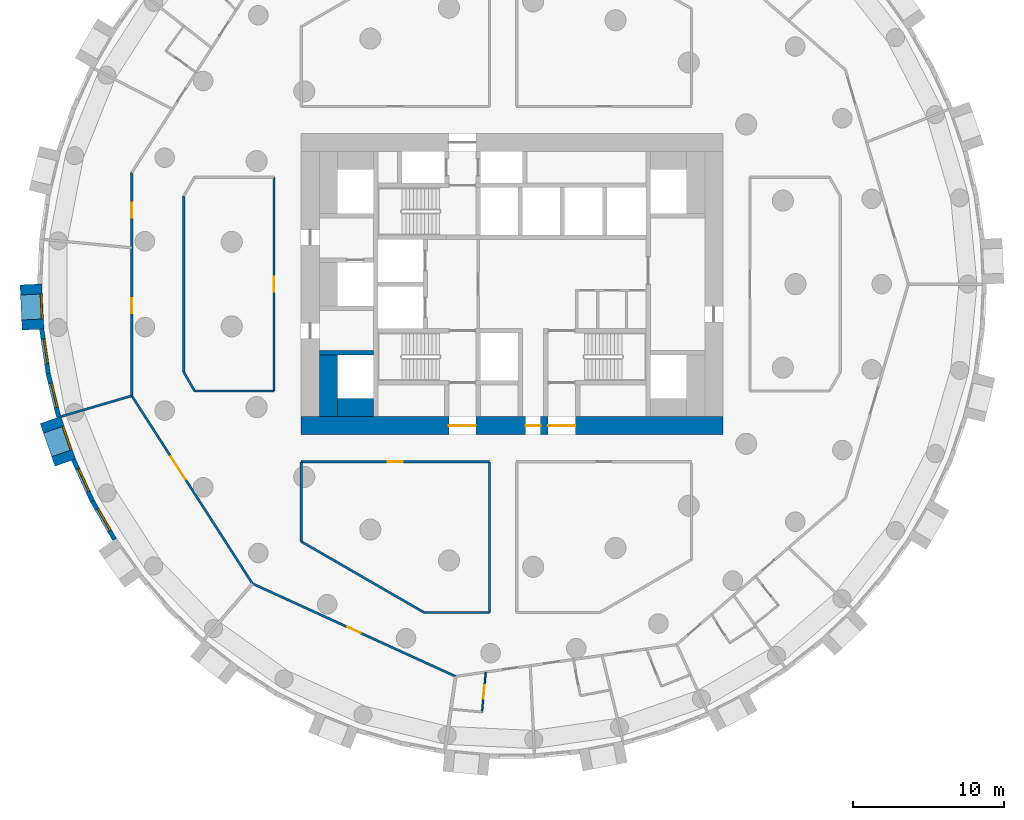
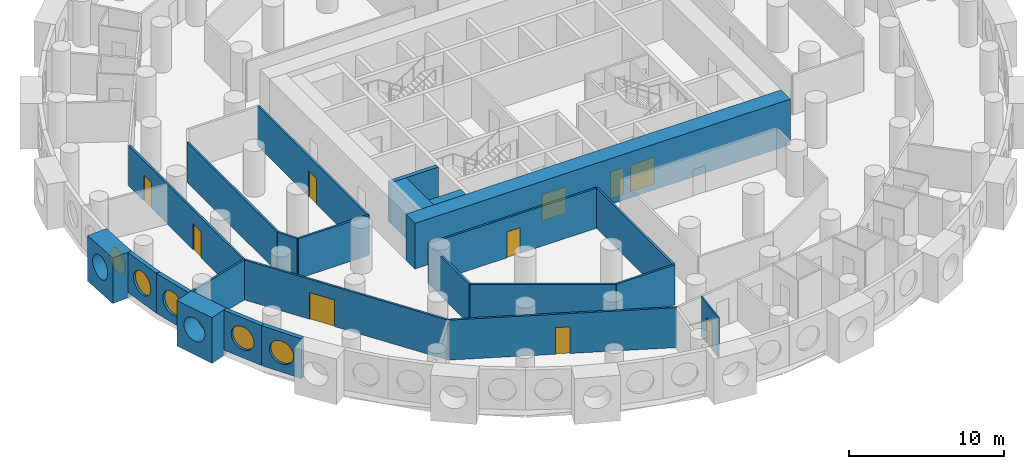
# One storey, part 3 of 11: 24 walls, 10 doors, 6 windows, 16 openings.
"""IFC4 building model written with IfcOpenShell, lengths in metres."""

from ifc_helpers import new_model, si_unit, direction, frame, frame_2d, origin, origin_2d, place, context, subcontext, project, spatial, rectangle, circle, extrude, material, layer, layer_set, type_object, element, fill, save


model = new_model("IFC4")

# Units and contexts
model_context = context("Model", 3, precision=1e-05, world=origin(), true_north=direction((0.0, 1.0)))
body_context = subcontext(model_context, "Body", "Model", "MODEL_VIEW")
ifc_project = project(units=[si_unit("LENGTHUNIT", "METRE"), si_unit("AREAUNIT", "SQUARE_METRE"), si_unit("VOLUMEUNIT", "CUBIC_METRE"), si_unit("PLANEANGLEUNIT", "RADIAN"), si_unit("MASSUNIT", "GRAM", prefix="KILO")], contexts=[model_context])

# Site, building, storey
site_placement = place(None, origin())
site = spatial("IfcSite", under=ifc_project, at=site_placement, CompositionType="ELEMENT")
building_placement = place(site_placement, origin())
building = spatial("IfcBuilding", under=site, at=building_placement, Name="Tracery Tower", CompositionType="ELEMENT")
storey_placement = place(building_placement, frame((0.0, 0.0, 93.0)))
storey = spatial("IfcBuildingStorey", under=building, at=storey_placement, Name="L23", CompositionType="ELEMENT", Elevation=93.0)

# Walls
ifc_material_1 = material(Name="Concrete C60/75", Category="concrete")
ifc_layer_1 = layer(ifc_material_1, 1.199951171875)
ifc_layer_set_1 = layer_set([ifc_layer_1], Name="Core strip wall 1200 C60")
wall_type_1 = type_object("IfcWallType", Name="Core strip wall 1200 C60", PredefinedType="SOLIDWALL", material=ifc_layer_set_1)
wall_1_placement = place(storey_placement, frame((-12.199951171875, -8.800048828125, 0.0), z_axis=(0.0, 0.0, 1.0), x_axis=(0.0, 1.0, 0.0)))
element("IfcWall", 1, at=wall_1_placement, inside=storey, type_object=wall_type_1, Name="L23 wing strip -1 -9.4", PredefinedType="SOLIDWALL", context=body_context, shape_type="SweptSolid", body=[
    extrude(rectangle(XDim=4.10009765625, YDim=1.199951171875, at=frame_2d((2.050048828125, 0.0))), origin(), (0.0, 0.0, 1.0), 3.14990234375),
])
wall_2_placement = place(storey_placement, frame((-11.60009765625, -8.199951171875, 0.0), z_axis=(0.0, 0.0, 1.0), x_axis=(1.0, 0.0, 0.0)))
element("IfcWall", 2, at=wall_2_placement, inside=storey, type_object=wall_type_1, Name="L23 wing corner -1 -8.2", PredefinedType="SOLIDWALL", context=body_context, shape_type="SweptSolid", body=[
    extrude(rectangle(XDim=2.400146484375, YDim=1.199951171875, at=frame_2d((1.2001953125, 0.0))), origin(), (0.0, 0.0, 1.0), 3.14990234375),
])

# Wall, openings, doors
ifc_material_2 = material(Name="Concrete C60/75", Category="concrete")
ifc_layer_2 = layer(ifc_material_2, 1.199951171875)
ifc_layer_set_2 = layer_set([ifc_layer_2], Name="Core wall 1200 C60")
wall_type_2 = type_object("IfcWallType", Name="Core wall 1200 C60", PredefinedType="SOLIDWALL", material=ifc_layer_set_2)
wall_3_placement = place(storey_placement, frame((-14.0, -9.39990234375, 0.0), z_axis=(0.0, 0.0, 1.0), x_axis=(1.0, 0.0, 0.0)))
wall_3 = element("IfcWall", 3, at=wall_3_placement, inside=storey, type_object=wall_type_2, Name="L23 outer S", PredefinedType="SOLIDWALL", context=body_context, shape_type="SweptSolid", body=[
    extrude(rectangle(XDim=28.0, YDim=1.199951171875, at=frame_2d((14.0, 0.0))), origin(), (0.0, 0.0, 1.0), 3.60009765625),
])
opening_1_placement = place(wall_3_placement, frame((14.89990234375, 0.0, 0.0)))
opening_1 = element("IfcOpeningElement", 4, at=opening_1_placement, cuts=wall_3, Name="Opening KD16", PredefinedType="OPENING", context=body_context, shape_type="SweptSolid", body=[
    extrude(rectangle(XDim=1.0, YDim=2.10009765625, at=frame_2d((0.5, 1.050048828125))), frame((0.0, 0.60009765625, 0.0), z_axis=(0.0, -1.0, 0.0), x_axis=(1.0, 0.0, 0.0)), (0.0, 0.0, 1.0), 1.199951171875),
])
opening_2_placement = place(wall_3_placement, frame((9.800048828125, 0.0, 0.0)))
opening_2 = element("IfcOpeningElement", 5, at=opening_2_placement, cuts=wall_3, Name="Opening KD13", PredefinedType="OPENING", context=body_context, shape_type="SweptSolid", body=[
    extrude(rectangle(XDim=1.800048828125, YDim=2.10009765625, at=frame_2d((0.89990234375, 1.050048828125))), frame((0.0, 0.60009765625, 0.0), z_axis=(0.0, -1.0, 0.0), x_axis=(1.0, 0.0, 0.0)), (0.0, 0.0, 1.0), 1.199951171875),
])
opening_3_placement = place(wall_3_placement, frame((16.39990234375, 0.0, 0.0)))
opening_3 = element("IfcOpeningElement", 6, at=opening_3_placement, cuts=wall_3, Name="Opening KD13", PredefinedType="OPENING", context=body_context, shape_type="SweptSolid", body=[
    extrude(rectangle(XDim=1.800048828125, YDim=2.10009765625, at=frame_2d((0.89990234375, 1.050048828125))), frame((0.0, 0.60009765625, 0.0), z_axis=(0.0, -1.0, 0.0), x_axis=(1.0, 0.0, 0.0)), (0.0, 0.0, 1.0), 1.199951171875),
])
ifc_material_3 = material(Name="Steel fire door", Category="steel")
door_type_1 = type_object("IfcDoorType", Name="Core exit door 1000", OperationType="NOTDEFINED", PredefinedType="DOOR", material=ifc_material_3)
door_1_placement = place(opening_1_placement, origin())
door_1 = element("IfcDoor", 7, at=door_1_placement, inside=storey, type_object=door_type_1, Name="Core exit door", OperationType="SINGLE_SWING_LEFT", OverallHeight=2.10009765625, OverallWidth=1.0, PredefinedType="DOOR", context=body_context, shape_type="SweptSolid", body=[
    extrude(rectangle(XDim=1.0, YDim=2.10009765625, at=frame_2d((0.5, 1.050048828125))), frame((0.0, 0.02490234375, 0.0), z_axis=(0.0, -1.0, 0.0), x_axis=(1.0, 0.0, 0.0)), (0.0, 0.0, 1.0), 0.050048828125),
])
fill(opening_1, door_1)
ifc_material_4 = material(Name="Steel fire door", Category="steel")
door_type_2 = type_object("IfcDoorType", Name="Core exit door 1800 double", OperationType="NOTDEFINED", PredefinedType="DOOR", material=ifc_material_4)
door_2_placement = place(opening_2_placement, origin())
door_2 = element("IfcDoor", 8, at=door_2_placement, inside=storey, type_object=door_type_2, Name="Core exit door", OperationType="DOUBLE_DOOR_SINGLE_SWING", OverallHeight=2.10009765625, OverallWidth=1.800048828125, PredefinedType="DOOR", context=body_context, shape_type="SweptSolid", body=[
    extrude(rectangle(XDim=1.800048828125, YDim=2.10009765625, at=frame_2d((0.89990234375, 1.050048828125))), frame((0.0, 0.02490234375, 0.0), z_axis=(0.0, -1.0, 0.0), x_axis=(1.0, 0.0, 0.0)), (0.0, 0.0, 1.0), 0.050048828125),
])
fill(opening_2, door_2)
door_3_placement = place(opening_3_placement, origin())
door_3 = element("IfcDoor", 9, at=door_3_placement, inside=storey, type_object=door_type_2, Name="Core exit door", OperationType="DOUBLE_DOOR_SINGLE_SWING", OverallHeight=2.10009765625, OverallWidth=1.800048828125, PredefinedType="DOOR", context=body_context, shape_type="SweptSolid", body=[
    extrude(rectangle(XDim=1.800048828125, YDim=2.10009765625, at=frame_2d((0.89990234375, 1.050048828125))), frame((0.0, 0.02490234375, 0.0), z_axis=(0.0, -1.0, 0.0), x_axis=(1.0, 0.0, 0.0)), (0.0, 0.0, 1.0), 0.050048828125),
])
fill(opening_3, door_3)

# Wall, opening, window
ifc_material_5 = material(Name="Precast concrete C50/60", Category="concrete")
ifc_layer_3 = layer(ifc_material_5, 1.449951171875)
ifc_layer_set_3 = layer_set([ifc_layer_3], Name="Deep-set bay unit 3000 x 3600, slab edge 450")
wall_type_3 = type_object("IfcWallType", Name="Deep-set bay unit 3000 x 3600, slab edge 450", PredefinedType="ELEMENTEDWALL", material=ifc_layer_set_3)
wall_4_placement = place(storey_placement, frame((-31.94921875, -0.020263671875, -0.449951171875), z_axis=(0.0, 0.0, 1.0), x_axis=(0.047607680889, -0.998866111509, 0.0)))
wall_4 = element("IfcWall", 10, at=wall_4_placement, inside=storey, type_object=wall_type_3, Name="Deep-set bay unit 34 at L23", PredefinedType="ELEMENTEDWALL", context=body_context, shape_type="SweptSolid", body=[
    extrude(rectangle(XDim=3.0, YDim=1.449951171875, at=frame_2d((1.5, 0.0))), origin(), (0.0, 0.0, 1.0), 3.599853515625),
])
opening_4_placement = place(wall_4_placement, frame((1.5, 0.0, 2.0)))
opening_4 = element("IfcOpeningElement", 11, at=opening_4_placement, cuts=wall_4, Name="Opening WN1", PredefinedType="OPENING", context=body_context, shape_type="SweptSolid", body=[
    extrude(circle(Radius=0.9000244140625, at=origin_2d()), frame((0.0, 0.73486328125, 0.0), z_axis=(0.0, -1.0, 0.0), x_axis=(1.0, 0.0, 0.0)), (0.0, 0.0, 1.0), 1.469970703125),
])
ifc_material_6 = material(Name="Aluminium frame with tinted double glazing", Category="aluminium")
window_type = type_object("IfcWindowType", Name="Round window 1800", PartitioningType="SINGLE_PANEL", PredefinedType="WINDOW", material=ifc_material_6)
window_1_placement = place(opening_4_placement, origin())
window_1 = element("IfcWindow", 12, at=window_1_placement, inside=storey, type_object=window_type, Name="Round window 34 at L23", OverallHeight=1.800048828125, OverallWidth=1.800048828125, PartitioningType="SINGLE_PANEL", PredefinedType="WINDOW", context=body_context, shape_type="SweptSolid", body=[
    extrude(circle(Radius=0.9000244140625, at=origin_2d()), frame((0.0, 0.69482421875, 0.0), z_axis=(0.0, -1.0, 0.0), x_axis=(1.0, 0.0, 0.0)), (0.0, 0.0, 1.0), 0.10009765625),
])
fill(opening_4, window_1)

wall_5_placement = place(storey_placement, frame((-30.649169921875, -9.0205078125, -0.449951171875), z_axis=(0.0, 0.0, 1.0), x_axis=(0.327071431777, -0.944999618262, 0.0)))
wall_5 = element("IfcWall", 13, at=wall_5_placement, inside=storey, type_object=wall_type_3, Name="Deep-set bay unit 37 at L23", PredefinedType="ELEMENTEDWALL", context=body_context, shape_type="SweptSolid", body=[
    extrude(rectangle(XDim=3.0, YDim=1.449951171875, at=frame_2d((1.5, 0.0))), origin(), (0.0, 0.0, 1.0), 3.599853515625),
])
opening_5_placement = place(wall_5_placement, frame((1.5, 0.0, 2.0)))
opening_5 = element("IfcOpeningElement", 14, at=opening_5_placement, cuts=wall_5, Name="Opening WN1", PredefinedType="OPENING", context=body_context, shape_type="SweptSolid", body=[
    extrude(circle(Radius=0.9000244140625, at=origin_2d()), frame((0.0, 0.73486328125, 0.0), z_axis=(0.0, -1.0, 0.0), x_axis=(1.0, 0.0, 0.0)), (0.0, 0.0, 1.0), 1.469970703125),
])
window_2_placement = place(opening_5_placement, origin())
window_2 = element("IfcWindow", 15, at=window_2_placement, inside=storey, type_object=window_type, Name="Round window 37 at L23", OverallHeight=1.800048828125, OverallWidth=1.800048828125, PartitioningType="SINGLE_PANEL", PredefinedType="WINDOW", context=body_context, shape_type="SweptSolid", body=[
    extrude(circle(Radius=0.9000244140625, at=origin_2d()), frame((0.0, 0.69482421875, 0.0), z_axis=(0.0, -1.0, 0.0), x_axis=(1.0, 0.0, 0.0)), (0.0, 0.0, 1.0), 0.10009765625),
])
fill(opening_5, window_2)

ifc_material_7 = material(Name="Precast concrete C50/60", Category="concrete")
ifc_layer_4 = layer(ifc_material_7, 0.300048828125)
ifc_layer_set_4 = layer_set([ifc_layer_4], Name="Facade panel 3000 x 3150")
wall_type_4 = type_object("IfcWallType", Name="Facade panel 3000 x 3150", PredefinedType="SOLIDWALL", material=ifc_layer_set_4)
wall_6_placement = place(storey_placement, frame((-31.2314453125, -2.98828125, 0.0), z_axis=(0.0, 0.0, 1.0), x_axis=(0.142315996627, -0.989821275334, 0.0)))
wall_6 = element("IfcWall", 16, at=wall_6_placement, inside=storey, type_object=wall_type_4, Name="Facade panel 35 at L23", PredefinedType="SOLIDWALL", context=body_context, shape_type="SweptSolid", body=[
    extrude(rectangle(XDim=2.979736328125, YDim=0.300048828125, at=frame_2d((1.48974609375, 0.0))), origin(), (0.0, 0.0, 1.0), 3.14990234375),
])
opening_6_placement = place(wall_6_placement, frame((1.48974609375, 0.0, 1.5498046875)))
opening_6 = element("IfcOpeningElement", 17, at=opening_6_placement, cuts=wall_6, Name="Opening WN1", PredefinedType="OPENING", context=body_context, shape_type="SweptSolid", body=[
    extrude(circle(Radius=0.9000244140625, at=origin_2d()), frame((0.0, 0.159912109375, 0.0), z_axis=(0.0, -1.0, 0.0), x_axis=(1.0, 0.0, 0.0)), (0.0, 0.0, 1.0), 0.320068359375),
])
window_3_placement = place(opening_6_placement, origin())
window_3 = element("IfcWindow", 18, at=window_3_placement, inside=storey, type_object=window_type, Name="Round window 35 at L23", OverallHeight=1.800048828125, OverallWidth=1.800048828125, PartitioningType="SINGLE_PANEL", PredefinedType="WINDOW", context=body_context, shape_type="SweptSolid", body=[
    extrude(circle(Radius=0.9000244140625, at=origin_2d()), frame((0.0, 0.1201171875, 0.0), z_axis=(0.0, -1.0, 0.0), x_axis=(1.0, 0.0, 0.0)), (0.0, 0.0, 1.0), 0.10009765625),
])
fill(opening_6, window_3)

wall_7_placement = place(storey_placement, frame((-30.807373046875, -5.937744140625, 0.0), z_axis=(0.0, 0.0, 1.0), x_axis=(0.235743081534, -0.971815414319, 0.0)))
wall_7 = element("IfcWall", 19, at=wall_7_placement, inside=storey, type_object=wall_type_4, Name="Facade panel 36 at L23", PredefinedType="SOLIDWALL", context=body_context, shape_type="SweptSolid", body=[
    extrude(rectangle(XDim=2.9794921875, YDim=0.300048828125, at=frame_2d((1.48974609375, 0.0))), origin(), (0.0, 0.0, 1.0), 3.14990234375),
])
opening_7_placement = place(wall_7_placement, frame((1.48974609375, 0.0, 1.5498046875)))
opening_7 = element("IfcOpeningElement", 20, at=opening_7_placement, cuts=wall_7, Name="Opening WN1", PredefinedType="OPENING", context=body_context, shape_type="SweptSolid", body=[
    extrude(circle(Radius=0.9000244140625, at=origin_2d()), frame((0.0, 0.159912109375, 0.0), z_axis=(0.0, -1.0, 0.0), x_axis=(1.0, 0.0, 0.0)), (0.0, 0.0, 1.0), 0.320068359375),
])
window_4_placement = place(opening_7_placement, origin())
window_4 = element("IfcWindow", 21, at=window_4_placement, inside=storey, type_object=window_type, Name="Round window 36 at L23", OverallHeight=1.800048828125, OverallWidth=1.800048828125, PartitioningType="SINGLE_PANEL", PredefinedType="WINDOW", context=body_context, shape_type="SweptSolid", body=[
    extrude(circle(Radius=0.9000244140625, at=origin_2d()), frame((0.0, 0.1201171875, 0.0), z_axis=(0.0, -1.0, 0.0), x_axis=(1.0, 0.0, 0.0)), (0.0, 0.0, 1.0), 0.10009765625),
])
fill(opening_7, window_4)

wall_8_placement = place(storey_placement, frame((-29.12451171875, -11.666259765625, 0.0), z_axis=(0.0, 0.0, 1.0), x_axis=(0.415407317162, -0.909635509888, 0.0)))
wall_8 = element("IfcWall", 22, at=wall_8_placement, inside=storey, type_object=wall_type_4, Name="Facade panel 38 at L23", PredefinedType="SOLIDWALL", context=body_context, shape_type="SweptSolid", body=[
    extrude(rectangle(XDim=2.979736328125, YDim=0.300048828125, at=frame_2d((1.48974609375, 0.0))), origin(), (0.0, 0.0, 1.0), 3.14990234375),
])
opening_8_placement = place(wall_8_placement, frame((1.48974609375, 0.0, 1.5498046875)))
opening_8 = element("IfcOpeningElement", 23, at=opening_8_placement, cuts=wall_8, Name="Opening WN1", PredefinedType="OPENING", context=body_context, shape_type="SweptSolid", body=[
    extrude(circle(Radius=0.9000244140625, at=origin_2d()), frame((0.0, 0.159912109375, 0.0), z_axis=(0.0, -1.0, 0.0), x_axis=(1.0, 0.0, 0.0)), (0.0, 0.0, 1.0), 0.320068359375),
])
window_5_placement = place(opening_8_placement, origin())
window_5 = element("IfcWindow", 24, at=window_5_placement, inside=storey, type_object=window_type, Name="Round window 38 at L23", OverallHeight=1.800048828125, OverallWidth=1.800048828125, PartitioningType="SINGLE_PANEL", PredefinedType="WINDOW", context=body_context, shape_type="SweptSolid", body=[
    extrude(circle(Radius=0.9000244140625, at=origin_2d()), frame((0.0, 0.1201171875, 0.0), z_axis=(0.0, -1.0, 0.0), x_axis=(1.0, 0.0, 0.0)), (0.0, 0.0, 1.0), 0.10009765625),
])
fill(opening_8, window_5)

wall_9_placement = place(storey_placement, frame((-27.88671875, -14.376708984375, 0.0), z_axis=(0.0, 0.0, 1.0), x_axis=(0.499999078476, -0.866025935826, 0.0)))
wall_9 = element("IfcWall", 25, at=wall_9_placement, inside=storey, type_object=wall_type_4, Name="Facade panel 39 at L23", PredefinedType="SOLIDWALL", context=body_context, shape_type="SweptSolid", body=[
    extrude(rectangle(XDim=2.9794921875, YDim=0.300048828125, at=frame_2d((1.48974609375, 0.0))), origin(), (0.0, 0.0, 1.0), 3.14990234375),
])
opening_9_placement = place(wall_9_placement, frame((1.48974609375, 0.0, 1.5498046875)))
opening_9 = element("IfcOpeningElement", 26, at=opening_9_placement, cuts=wall_9, Name="Opening WN1", PredefinedType="OPENING", context=body_context, shape_type="SweptSolid", body=[
    extrude(circle(Radius=0.9000244140625, at=origin_2d()), frame((0.0, 0.159912109375, 0.0), z_axis=(0.0, -1.0, 0.0), x_axis=(1.0, 0.0, 0.0)), (0.0, 0.0, 1.0), 0.320068359375),
])
window_6_placement = place(opening_9_placement, origin())
window_6 = element("IfcWindow", 27, at=window_6_placement, inside=storey, type_object=window_type, Name="Round window 39 at L23", OverallHeight=1.800048828125, OverallWidth=1.800048828125, PartitioningType="SINGLE_PANEL", PredefinedType="WINDOW", context=body_context, shape_type="SweptSolid", body=[
    extrude(circle(Radius=0.9000244140625, at=origin_2d()), frame((0.0, 0.1201171875, 0.0), z_axis=(0.0, -1.0, 0.0), x_axis=(1.0, 0.0, 0.0)), (0.0, 0.0, 1.0), 0.10009765625),
])
fill(opening_9, window_6)

# Wall, opening, door
ifc_material_8 = material(Name="Plasterboard on steel studs", Category="steel")
ifc_layer_5 = layer(ifc_material_8, 0.10009765625)
ifc_layer_set_5 = layer_set([ifc_layer_5], Name="Partition 100 wet wall")
wall_type_5 = type_object("IfcWallType", Name="Partition 100 wet wall", PredefinedType="PARTITIONING", material=ifc_layer_set_5)
wall_10_placement = place(storey_placement, frame((-1.99609375, -28.41796875, 0.0), z_axis=(0.0, 0.0, 1.0), x_axis=(0.094925726797, 0.995484357683, 0.0)))
wall_10 = element("IfcWall", 28, at=wall_10_placement, inside=storey, type_object=wall_type_5, Name="Wet wall RA7-074", PredefinedType="PARTITIONING", context=body_context, shape_type="SweptSolid", body=[
    extrude(rectangle(XDim=2.6669921875, YDim=0.10009765625, at=frame_2d((1.33349609375, 0.0))), origin(), (0.0, 0.0, 1.0), 3.14990234375),
])
opening_10_placement = place(wall_10_placement, frame((0.884033203125, 0.0, 0.0)))
opening_10 = element("IfcOpeningElement", 29, at=opening_10_placement, cuts=wall_10, Name="Opening RA7-27", PredefinedType="OPENING", context=body_context, shape_type="SweptSolid", body=[
    extrude(rectangle(XDim=0.89990234375, YDim=2.0400390625, at=frame_2d((0.449951171875, 1.02001953125))), frame((0.0, 0.050048828125, 0.0), z_axis=(0.0, -1.0, 0.0), x_axis=(1.0, 0.0, 0.0)), (0.0, 0.0, 1.0), 0.10009765625),
])
ifc_material_9 = material(Name="Timber door leaf", Category="wood")
door_type_3 = type_object("IfcDoorType", Name="Door en-suite 900", OperationType="NOTDEFINED", PredefinedType="DOOR", material=ifc_material_9)
door_4_placement = place(opening_10_placement, origin())
door_4 = element("IfcDoor", 30, at=door_4_placement, inside=storey, type_object=door_type_3, Name="En-suite door RA7-27", OperationType="SINGLE_SWING_RIGHT", OverallHeight=2.0400390625, OverallWidth=0.89990234375, PredefinedType="DOOR", context=body_context, shape_type="SweptSolid", body=[
    extrude(rectangle(XDim=0.89990234375, YDim=2.0400390625, at=frame_2d((0.449951171875, 1.02001953125))), frame((0.0, 0.02490234375, 0.0), z_axis=(0.0, -1.0, 0.0), x_axis=(1.0, 0.0, 0.0)), (0.0, 0.0, 1.0), 0.050048828125),
])
fill(opening_10, door_4)

# Wall
ifc_material_10 = material(Name="Plasterboard on steel studs", Category="steel")
ifc_layer_6 = layer(ifc_material_10, 0.14990234375)
ifc_layer_set_6 = layer_set([ifc_layer_6], Name="Partition 150 acoustic unit wall")
wall_type_6 = type_object("IfcWallType", Name="Partition 150 acoustic unit wall", PredefinedType="PARTITIONING", material=ifc_layer_set_6)
wall_11_placement = place(storey_placement, frame((-29.958984375, -8.797119140625, 0.0), z_axis=(0.0, 0.0, 1.0), x_axis=(0.959478767209, 0.281780934902, 0.0)))
element("IfcWall", 31, at=wall_11_placement, inside=storey, type_object=wall_type_6, Name="Unit wall RA7-070", PredefinedType="PARTITIONING", context=body_context, shape_type="SweptSolid", body=[
    extrude(rectangle(XDim=4.90478515625, YDim=0.14990234375, at=frame_2d((2.452392578125, 0.0))), origin(), (0.0, 0.0, 1.0), 3.14990234375),
])

# Wall, opening, door
ifc_material_11 = material(Name="Plasterboard on steel studs", Category="steel")
ifc_layer_7 = layer(ifc_material_11, 0.14990234375)
ifc_layer_set_7 = layer_set([ifc_layer_7], Name="Partition 150 corridor wall")
wall_type_7 = type_object("IfcWallType", Name="Partition 150 corridor wall", PredefinedType="PARTITIONING", material=ifc_layer_set_7)
wall_12_placement = place(storey_placement, frame((-14.00390625, -11.800048828125, 0.0), z_axis=(0.0, 0.0, 1.0), x_axis=(1.0, 0.0, 0.0)))
wall_12 = element("IfcWall", 32, at=wall_12_placement, inside=storey, type_object=wall_type_7, Name="Corridor wall RA7-003", PredefinedType="PARTITIONING", context=body_context, shape_type="SweptSolid", body=[
    extrude(rectangle(XDim=12.517822265625, YDim=0.14990234375, at=frame_2d((6.2587890625, 0.0))), origin(), (0.0, 0.0, 1.0), 3.14990234375),
])
opening_11_placement = place(wall_12_placement, frame((5.759033203125, 0.0, 0.0)))
opening_11 = element("IfcOpeningElement", 33, at=opening_11_placement, cuts=wall_12, Name="Opening RA7-03", PredefinedType="OPENING", context=body_context, shape_type="SweptSolid", body=[
    extrude(rectangle(XDim=1.0, YDim=2.0400390625, at=frame_2d((0.5, 1.02001953125))), frame((0.0, 0.074951171875, 0.0), z_axis=(0.0, -1.0, 0.0), x_axis=(1.0, 0.0, 0.0)), (0.0, 0.0, 1.0), 0.14990234375),
])
ifc_material_12 = material(Name="Timber door leaf", Category="wood")
door_type_4 = type_object("IfcDoorType", Name="Door communal room 1000", OperationType="NOTDEFINED", PredefinedType="DOOR", material=ifc_material_12)
door_5_placement = place(opening_11_placement, origin())
door_5 = element("IfcDoor", 34, at=door_5_placement, inside=storey, type_object=door_type_4, Name="Communal room door RA7-03", OperationType="SINGLE_SWING_RIGHT", OverallHeight=2.0400390625, OverallWidth=1.0, PredefinedType="DOOR", context=body_context, shape_type="SweptSolid", body=[
    extrude(rectangle(XDim=1.0, YDim=2.0400390625, at=frame_2d((0.5, 1.02001953125))), frame((0.0, 0.02490234375, 0.0), z_axis=(0.0, -1.0, 0.0), x_axis=(1.0, 0.0, 0.0)), (0.0, 0.0, 1.0), 0.050048828125),
])
fill(opening_11, door_5)

wall_13_placement = place(storey_placement, frame((-15.800048828125, -7.10400390625, 0.0), z_axis=(0.0, 0.0, 1.0), x_axis=(0.0, 1.0, 0.0)))
wall_13 = element("IfcWall", 35, at=wall_13_placement, inside=storey, type_object=wall_type_7, Name="Corridor wall RA7-006", PredefinedType="PARTITIONING", context=body_context, shape_type="SweptSolid", body=[
    extrude(rectangle(XDim=14.2080078125, YDim=0.14990234375, at=frame_2d((7.10400390625, 0.0))), origin(), (0.0, 0.0, 1.0), 3.14990234375),
])
opening_12_placement = place(wall_13_placement, frame((6.60400390625, 0.0, 0.0)))
opening_12 = element("IfcOpeningElement", 36, at=opening_12_placement, cuts=wall_13, Name="Opening RA7-06", PredefinedType="OPENING", context=body_context, shape_type="SweptSolid", body=[
    extrude(rectangle(XDim=1.0, YDim=2.0400390625, at=frame_2d((0.5, 1.02001953125))), frame((0.0, 0.074951171875, 0.0), z_axis=(0.0, -1.0, 0.0), x_axis=(1.0, 0.0, 0.0)), (0.0, 0.0, 1.0), 0.14990234375),
])
door_6_placement = place(opening_12_placement, origin())
door_6 = element("IfcDoor", 37, at=door_6_placement, inside=storey, type_object=door_type_4, Name="Communal room door RA7-06", OperationType="SINGLE_SWING_RIGHT", OverallHeight=2.0400390625, OverallWidth=1.0, PredefinedType="DOOR", context=body_context, shape_type="SweptSolid", body=[
    extrude(rectangle(XDim=1.0, YDim=2.0400390625, at=frame_2d((0.5, 1.02001953125))), frame((0.0, 0.02490234375, 0.0), z_axis=(0.0, -1.0, 0.0), x_axis=(1.0, 0.0, 0.0)), (0.0, 0.0, 1.0), 0.050048828125),
])
fill(opening_12, door_6)

# Walls
wall_14_placement = place(storey_placement, frame((-14.0, -17.092041015625, 0.0), z_axis=(0.0, 0.0, 1.0), x_axis=(0.0, 1.0, 0.0)))
element("IfcWall", 38, at=wall_14_placement, inside=storey, type_object=wall_type_7, Name="Corridor wall RA7-027", PredefinedType="PARTITIONING", context=body_context, shape_type="SweptSolid", body=[
    extrude(rectangle(XDim=5.2919921875, YDim=0.14990234375, at=frame_2d((2.64599609375, 0.0))), origin(), (0.0, 0.0, 1.0), 3.14990234375),
])
wall_15_placement = place(storey_placement, frame((-21.802001953125, -5.842041015625, 0.0), z_axis=(0.0, 0.0, 1.0), x_axis=(0.0, 1.0, 0.0)))
element("IfcWall", 39, at=wall_15_placement, inside=storey, type_object=wall_type_7, Name="Corridor wall RA7-030", PredefinedType="PARTITIONING", context=body_context, shape_type="SweptSolid", body=[
    extrude(rectangle(XDim=11.68408203125, YDim=0.14990234375, at=frame_2d((5.842041015625, 0.0))), origin(), (0.0, 0.0, 1.0), 3.14990234375),
])
wall_16_placement = place(storey_placement, frame((-21.802001953125, -5.842041015625, 0.0), z_axis=(0.0, 0.0, 1.0), x_axis=(0.499863102386, -0.866104427234, 0.0)))
element("IfcWall", 40, at=wall_16_placement, inside=storey, type_object=wall_type_7, Name="Corridor wall RA7-031", PredefinedType="PARTITIONING", context=body_context, shape_type="SweptSolid", body=[
    extrude(rectangle(XDim=1.45263671875, YDim=0.14990234375, at=frame_2d((0.726318359375, 0.0))), origin(), (0.0, 0.0, 1.0), 3.14990234375),
])
wall_17_placement = place(storey_placement, frame((-21.075927734375, -7.10009765625, 0.0), z_axis=(0.0, 0.0, 1.0), x_axis=(1.0, 0.0, 0.0)))
element("IfcWall", 41, at=wall_17_placement, inside=storey, type_object=wall_type_7, Name="Corridor wall RA7-032", PredefinedType="PARTITIONING", context=body_context, shape_type="SweptSolid", body=[
    extrude(rectangle(XDim=5.27587890625, YDim=0.14990234375, at=frame_2d((2.637939453125, 0.0))), origin(), (0.0, 0.0, 1.0), 3.14990234375),
])

# Wall, openings, doors
wall_18_placement = place(storey_placement, frame((-25.2529296875, -7.4150390625, 0.0), z_axis=(0.0, 0.0, 1.0), x_axis=(0.0, 1.0, 0.0)))
wall_18 = element("IfcWall", 42, at=wall_18_placement, inside=storey, type_object=wall_type_7, Name="Corridor wall RA7-034", PredefinedType="PARTITIONING", context=body_context, shape_type="SweptSolid", body=[
    extrude(rectangle(XDim=14.830078125, YDim=0.14990234375, at=frame_2d((7.4150390625, 0.0))), origin(), (0.0, 0.0, 1.0), 3.14990234375),
])
opening_13_placement = place(wall_18_placement, frame((11.825927734375, 0.0, 0.0)))
opening_13 = element("IfcOpeningElement", 43, at=opening_13_placement, cuts=wall_18, Name="Opening RA7-23", PredefinedType="OPENING", context=body_context, shape_type="SweptSolid", body=[
    extrude(rectangle(XDim=1.0, YDim=2.0400390625, at=frame_2d((0.5, 1.02001953125))), frame((0.0, 0.074951171875, 0.0), z_axis=(0.0, -1.0, 0.0), x_axis=(1.0, 0.0, 0.0)), (0.0, 0.0, 1.0), 0.14990234375),
])
opening_14_placement = place(wall_18_placement, frame((5.465087890625, 0.0, 0.0)))
opening_14 = element("IfcOpeningElement", 44, at=opening_14_placement, cuts=wall_18, Name="Opening RA7-24", PredefinedType="OPENING", context=body_context, shape_type="SweptSolid", body=[
    extrude(rectangle(XDim=1.0, YDim=2.0400390625, at=frame_2d((0.5, 1.02001953125))), frame((0.0, 0.074951171875, 0.0), z_axis=(0.0, -1.0, 0.0), x_axis=(1.0, 0.0, 0.0)), (0.0, 0.0, 1.0), 0.14990234375),
])
door_7_placement = place(opening_13_placement, origin())
door_7 = element("IfcDoor", 45, at=door_7_placement, inside=storey, type_object=door_type_4, Name="Communal room door RA7-23", OperationType="SINGLE_SWING_RIGHT", OverallHeight=2.0400390625, OverallWidth=1.0, PredefinedType="DOOR", context=body_context, shape_type="SweptSolid", body=[
    extrude(rectangle(XDim=1.0, YDim=2.0400390625, at=frame_2d((0.5, 1.02001953125))), frame((0.0, 0.02490234375, 0.0), z_axis=(0.0, -1.0, 0.0), x_axis=(1.0, 0.0, 0.0)), (0.0, 0.0, 1.0), 0.050048828125),
])
fill(opening_13, door_7)
door_8_placement = place(opening_14_placement, origin())
door_8 = element("IfcDoor", 46, at=door_8_placement, inside=storey, type_object=door_type_4, Name="Communal room door RA7-24", OperationType="SINGLE_SWING_RIGHT", OverallHeight=2.0400390625, OverallWidth=1.0, PredefinedType="DOOR", context=body_context, shape_type="SweptSolid", body=[
    extrude(rectangle(XDim=1.0, YDim=2.0400390625, at=frame_2d((0.5, 1.02001953125))), frame((0.0, 0.02490234375, 0.0), z_axis=(0.0, -1.0, 0.0), x_axis=(1.0, 0.0, 0.0)), (0.0, 0.0, 1.0), 0.050048828125),
])
fill(opening_14, door_8)

# Wall, opening, door
wall_19_placement = place(storey_placement, frame((-25.2529296875, -7.4150390625, 0.0), z_axis=(0.0, 0.0, 1.0), x_axis=(0.540656073354, -0.841243728265, 0.0)))
wall_19 = element("IfcWall", 47, at=wall_19_placement, inside=storey, type_object=wall_type_7, Name="Corridor wall RA7-035", PredefinedType="PARTITIONING", context=body_context, shape_type="SweptSolid", body=[
    extrude(rectangle(XDim=14.829345703125, YDim=0.14990234375, at=frame_2d((7.41455078125, 0.0))), origin(), (0.0, 0.0, 1.0), 3.14990234375),
])
opening_15_placement = place(wall_19_placement, frame((4.80419921875, 0.0, 0.0)))
opening_15 = element("IfcOpeningElement", 48, at=opening_15_placement, cuts=wall_19, Name="Opening RA7-25", PredefinedType="OPENING", context=body_context, shape_type="SweptSolid", body=[
    extrude(rectangle(XDim=1.800048828125, YDim=2.10009765625, at=frame_2d((0.89990234375, 1.050048828125))), frame((0.0, 0.074951171875, 0.0), z_axis=(0.0, -1.0, 0.0), x_axis=(1.0, 0.0, 0.0)), (0.0, 0.0, 1.0), 0.14990234375),
])
ifc_material_13 = material(Name="Timber door leaf", Category="wood")
door_type_5 = type_object("IfcDoorType", Name="Door double lounge 1800", OperationType="NOTDEFINED", PredefinedType="DOOR", material=ifc_material_13)
door_9_placement = place(opening_15_placement, origin())
door_9 = element("IfcDoor", 49, at=door_9_placement, inside=storey, type_object=door_type_5, Name="Double lounge door RA7-25", OperationType="DOUBLE_DOOR_SINGLE_SWING", OverallHeight=2.10009765625, OverallWidth=1.800048828125, PredefinedType="DOOR", context=body_context, shape_type="SweptSolid", body=[
    extrude(rectangle(XDim=1.800048828125, YDim=2.10009765625, at=frame_2d((0.89990234375, 1.050048828125))), frame((0.0, 0.02490234375, 0.0), z_axis=(0.0, -1.0, 0.0), x_axis=(1.0, 0.0, 0.0)), (0.0, 0.0, 1.0), 0.050048828125),
])
fill(opening_15, door_9)

# Walls
wall_20_placement = place(storey_placement, frame((-14.0, -17.092041015625, 0.0), z_axis=(0.0, 0.0, 1.0), x_axis=(0.86602719091, -0.499996904595, 0.0)))
element("IfcWall", 50, at=wall_20_placement, inside=storey, type_object=wall_type_7, Name="Corridor wall RA7-036", PredefinedType="PARTITIONING", context=body_context, shape_type="SweptSolid", body=[
    extrude(rectangle(XDim=9.419921875, YDim=0.14990234375, at=frame_2d((4.7099609375, 0.0))), origin(), (0.0, 0.0, 1.0), 3.14990234375),
])
wall_21_placement = place(storey_placement, frame((-5.842041015625, -21.802001953125, 0.0), z_axis=(0.0, 0.0, 1.0), x_axis=(1.0, 0.0, 0.0)))
element("IfcWall", 51, at=wall_21_placement, inside=storey, type_object=wall_type_7, Name="Corridor wall RA7-037", PredefinedType="PARTITIONING", context=body_context, shape_type="SweptSolid", body=[
    extrude(rectangle(XDim=4.35205078125, YDim=0.14990234375, at=frame_2d((2.176025390625, 0.0))), origin(), (0.0, 0.0, 1.0), 3.14990234375),
])
wall_22_placement = place(storey_placement, frame((-1.489990234375, -21.802001953125, 0.0), z_axis=(0.0, 0.0, 1.0), x_axis=(0.0, 1.0, 0.0)))
element("IfcWall", 52, at=wall_22_placement, inside=storey, type_object=wall_type_7, Name="Corridor wall RA7-038", PredefinedType="PARTITIONING", context=body_context, shape_type="SweptSolid", body=[
    extrude(rectangle(XDim=10.001953125, YDim=0.14990234375, at=frame_2d((5.0009765625, 0.0))), origin(), (0.0, 0.0, 1.0), 3.14990234375),
])

# Wall, opening, door
wall_23_placement = place(storey_placement, frame((-17.235107421875, -19.889892578125, 0.0), z_axis=(0.0, 0.0, 1.0), x_axis=(0.90960889055, -0.415465601743, 0.0)))
wall_23 = element("IfcWall", 53, at=wall_23_placement, inside=storey, type_object=wall_type_7, Name="Corridor wall RA7-043", PredefinedType="PARTITIONING", context=body_context, shape_type="SweptSolid", body=[
    extrude(rectangle(XDim=14.829345703125, YDim=0.14990234375, at=frame_2d((7.41455078125, 0.0))), origin(), (0.0, 0.0, 1.0), 3.14990234375),
])
opening_16_placement = place(wall_23_placement, frame((6.939453125, 0.0, 0.0)))
opening_16 = element("IfcOpeningElement", 54, at=opening_16_placement, cuts=wall_23, Name="Opening RA7-26", PredefinedType="OPENING", context=body_context, shape_type="SweptSolid", body=[
    extrude(rectangle(XDim=0.949951171875, YDim=2.10009765625, at=frame_2d((0.47509765625, 1.050048828125))), frame((0.0, 0.074951171875, 0.0), z_axis=(0.0, -1.0, 0.0), x_axis=(1.0, 0.0, 0.0)), (0.0, 0.0, 1.0), 0.14990234375),
])
ifc_material_14 = material(Name="Timber door leaf", Category="wood")
door_type_6 = type_object("IfcDoorType", Name="Door store 950", OperationType="NOTDEFINED", PredefinedType="DOOR", material=ifc_material_14)
door_10_placement = place(opening_16_placement, origin())
door_10 = element("IfcDoor", 55, at=door_10_placement, inside=storey, type_object=door_type_6, Name="Store door RA7-26", OperationType="SINGLE_SWING_RIGHT", OverallHeight=2.10009765625, OverallWidth=0.949951171875, PredefinedType="DOOR", context=body_context, shape_type="SweptSolid", body=[
    extrude(rectangle(XDim=0.949951171875, YDim=2.10009765625, at=frame_2d((0.47509765625, 1.050048828125))), frame((0.0, 0.02490234375, 0.0), z_axis=(0.0, -1.0, 0.0), x_axis=(1.0, 0.0, 0.0)), (0.0, 0.0, 1.0), 0.050048828125),
])
fill(opening_16, door_10)

# Wall
ifc_material_15 = material(Name="Concrete C60/75", Category="concrete")
ifc_layer_8 = layer(ifc_material_15, 0.300048828125)
ifc_layer_set_8 = layer_set([ifc_layer_8], Name="Shaft wall 300 C60")
wall_type_8 = type_object("IfcWallType", Name="Shaft wall 300 C60", PredefinedType="SOLIDWALL", material=ifc_layer_set_8)
wall_24_placement = place(storey_placement, frame((-12.800048828125, -4.550048828125, 0.0), z_axis=(0.0, 0.0, 1.0), x_axis=(1.0, 0.0, 0.0)))
element("IfcWall", 56, at=wall_24_placement, inside=storey, type_object=wall_type_8, Name="L23 wing shaft wall -1 -4.55", PredefinedType="SOLIDWALL", context=body_context, shape_type="SweptSolid", body=[
    extrude(rectangle(XDim=3.60009765625, YDim=0.300048828125, at=frame_2d((1.800048828125, 0.0))), origin(), (0.0, 0.0, 1.0), 3.14990234375),
])

save(model, "model.ifc")
